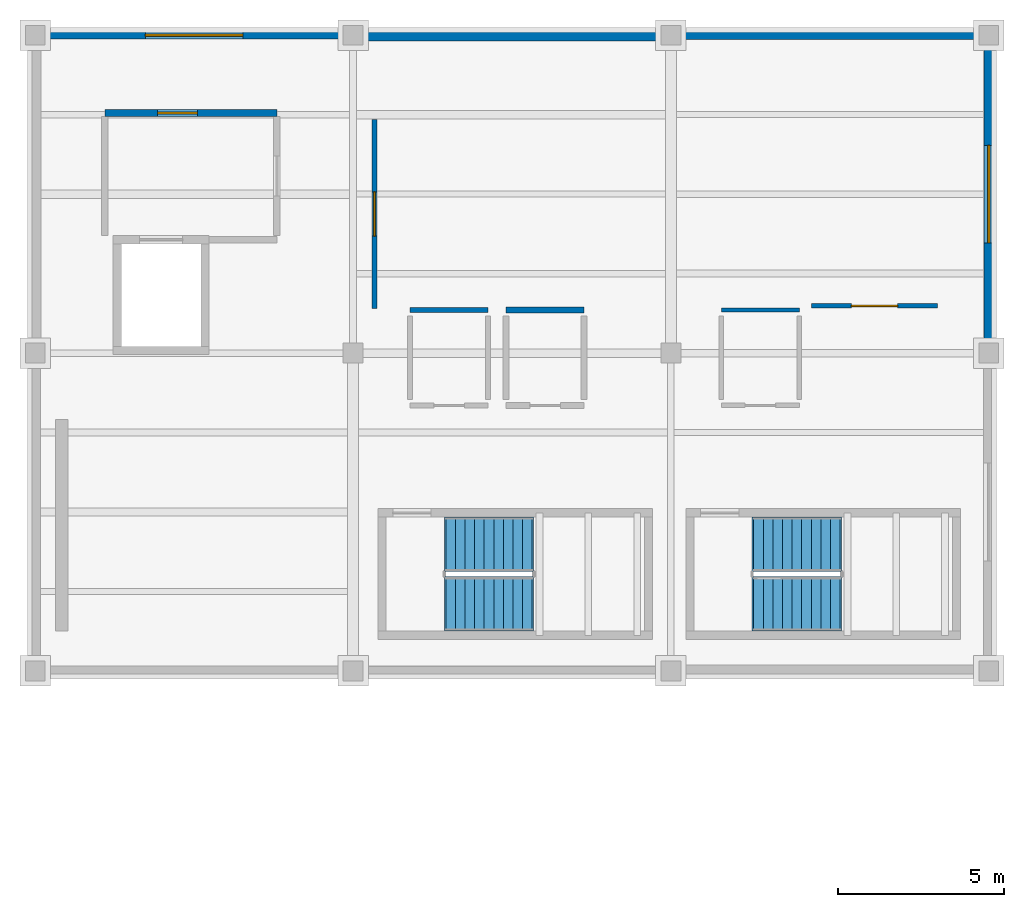
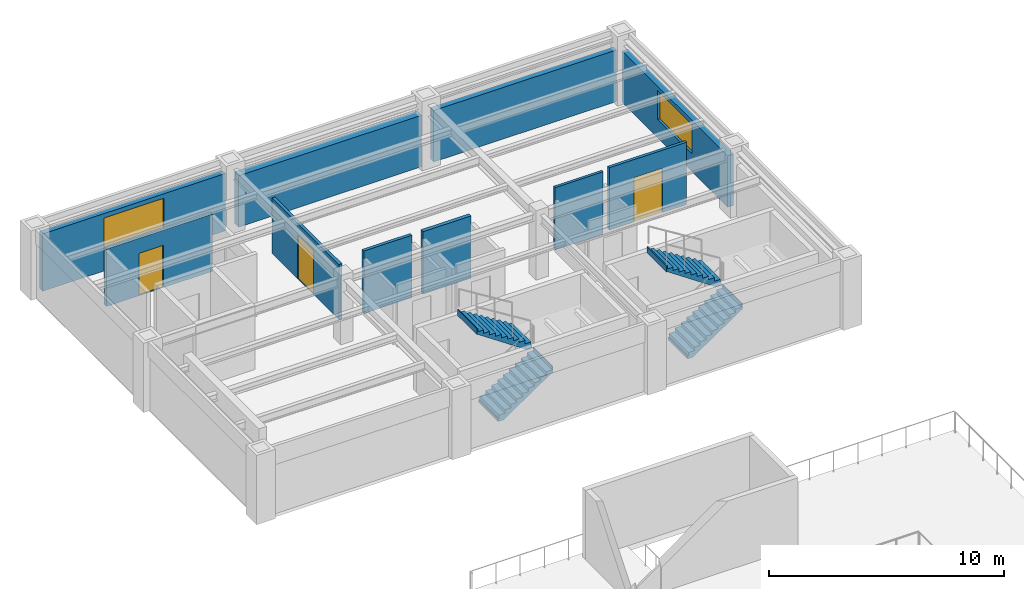
# One storey, part 3 of 6: 10 walls, 4 stair flights, 3 doors, 2 windows, 5 openings, 2 elements without a shape of their own.
"""IFC4 building model written with IfcOpenShell, lengths in metres."""

from ifc_helpers import new_model, si_unit, direction, frame, frame_2d, origin, place, context, subcontext, project, spatial, polyline, rectangle, outline, extrude, material, layer, layer_set, type_object, element, fill, aggregate, save


model = new_model("IFC4")

# Units and contexts
model_context = context("Model", 3, precision=1e-05, world=origin(), true_north=direction((0.0, 1.0)))
body_context = subcontext(model_context, "Body", "Model", "MODEL_VIEW")
ifc_project = project(units=[si_unit("LENGTHUNIT", "METRE"), si_unit("AREAUNIT", "SQUARE_METRE"), si_unit("VOLUMEUNIT", "CUBIC_METRE"), si_unit("PLANEANGLEUNIT", "RADIAN"), si_unit("MASSUNIT", "GRAM", prefix="KILO")], contexts=[model_context])

# Site, building, storey
site_placement = place(None, origin())
site = spatial("IfcSite", under=ifc_project, at=site_placement, CompositionType="ELEMENT")
building_placement = place(site_placement, origin())
building = spatial("IfcBuilding", under=site, at=building_placement, Name="Mavantir Sound Aquarium", CompositionType="ELEMENT")
storey_placement = place(building_placement, frame((0.0, 0.0, 19.800048828125)))
storey = spatial("IfcBuildingStorey", under=building, at=storey_placement, Name="L04", CompositionType="ELEMENT", Elevation=19.800048828125)

# Wall, opening, window
ifc_material_1 = material(Name="Architectural Precast Concrete C40/50", Category="concrete")
ifc_layer_1 = layer(ifc_material_1, 0.239990234375, Name="Architectural Precast Concrete C40/50")
ifc_layer_set_1 = layer_set([ifc_layer_1], Name="Architectural Precast Concrete C40/50")
wall_type_1 = type_object("IfcWallType", Name="EW-PRE-240", PredefinedType="SOLIDWALL", material=ifc_layer_set_1)
wall_1_placement = place(storey_placement, frame((9.2919921875, 102.800048828125, 0.0), z_axis=(0.0, 0.0, 1.0), x_axis=(-1.0, 0.0, 0.0)))
wall_1 = element("IfcWall", 1, at=wall_1_placement, inside=storey, type_object=wall_type_1, Name="L04 exterior facade wall EW-06 390", PredefinedType="SOLIDWALL", context=body_context, shape_type="SweptSolid", body=[
    extrude(rectangle(XDim=8.98388671875, YDim=0.239990234375, at=frame_2d((4.491943359375, 0.0))), origin(), (0.0, 0.0, 1.0), 2.97802734375),
])
opening_1_placement = place(wall_1_placement, frame((3.01708984375, 0.0, 0.949951171875)))
opening_1 = element("IfcOpeningElement", 2, at=opening_1_placement, cuts=wall_1, Name="Opening W-43", PredefinedType="OPENING", context=body_context, shape_type="SweptSolid", body=[
    extrude(rectangle(XDim=2.949951171875, YDim=1.800048828125, at=frame_2d((1.47509765625, 0.89990234375))), frame((0.0, 0.1298828125, 0.0), z_axis=(0.0, -1.0, 0.0), x_axis=(1.0, 0.0, 0.0)), (0.0, 0.0, 1.0), 0.260009765625),
])
ifc_material_2 = material(Name="Thermally Broken Aluminium and Low-E Glass", Category="aluminium")
window_type_1 = type_object("IfcWindowType", Name="WIN-EXT-43", PartitioningType="TRIPLE_PANEL_VERTICAL", PredefinedType="WINDOW", material=ifc_material_2)
window_1_placement = place(opening_1_placement, origin())
window_1 = element("IfcWindow", 3, at=window_1_placement, inside=storey, type_object=window_type_1, Name="L04 facade window W-43 187", OverallHeight=1.800048828125, OverallWidth=2.949951171875, PartitioningType="SINGLE_PANEL", PredefinedType="WINDOW", context=body_context, shape_type="SweptSolid", body=[
    extrude(rectangle(XDim=2.949951171875, YDim=1.800048828125, at=frame_2d((1.47509765625, 0.89990234375))), frame((0.0, 0.030029296875, 0.0), z_axis=(0.0, -1.0, 0.0), x_axis=(1.0, 0.0, 0.0)), (0.0, 0.0, 1.0), 0.06005859375),
])
fill(opening_1, window_1)

# Walls
ifc_material_3 = material(Name="Coral-Buff Architectural Precast Concrete C40/50", Category="concrete")
ifc_layer_2 = layer(ifc_material_3, 0.360107421875, Name="Coral-Buff Architectural Precast Concrete C40/50")
ifc_layer_set_2 = layer_set([ifc_layer_2], Name="Coral-Buff Architectural Precast Concrete C40/50")
wall_type_2 = type_object("IfcWallType", Name="EW-PRE-360", PredefinedType="SOLIDWALL", material=ifc_layer_set_2)
wall_2_placement = place(storey_placement, frame((18.89208984375, 102.800048828125, 0.0), z_axis=(0.0, 0.0, 1.0), x_axis=(-1.0, 0.0, 0.0)))
element("IfcWall", 4, at=wall_2_placement, inside=storey, type_object=wall_type_2, Name="L04 exterior facade wall EW-05 389", PredefinedType="SOLIDWALL", context=body_context, shape_type="SweptSolid", body=[
    extrude(rectangle(XDim=8.984130859375, YDim=0.360107421875, at=frame_2d((4.4921875, 0.0))), origin(), (0.0, 0.0, 1.0), 2.675048828125),
])
ifc_material_4 = material(Name="Cerulean Glazed Terracotta Rainscreen on Concrete C40/50", Category="masonry")
ifc_layer_3 = layer(ifc_material_4, 0.27001953125, Name="Cerulean Glazed Terracotta Rainscreen on Concrete C40/50")
ifc_layer_set_3 = layer_set([ifc_layer_3], Name="Cerulean Glazed Terracotta Rainscreen on Concrete C40/50")
wall_type_3 = type_object("IfcWallType", Name="EW-TERRA-270", PredefinedType="SOLIDWALL", material=ifc_layer_set_3)
wall_3_placement = place(storey_placement, frame((28.491943359375, 102.800048828125, 0.0), z_axis=(0.0, 0.0, 1.0), x_axis=(-1.0, 0.0, 0.0)))
element("IfcWall", 5, at=wall_3_placement, inside=storey, type_object=wall_type_3, Name="L04 exterior facade wall EW-04 388", PredefinedType="SOLIDWALL", context=body_context, shape_type="SweptSolid", body=[
    extrude(rectangle(XDim=8.98388671875, YDim=0.27001953125, at=frame_2d((4.491943359375, 0.0))), origin(), (0.0, 0.0, 1.0), 2.675048828125),
])

# Wall, opening, window
ifc_material_5 = material(Name="Turquoise Glazed Terracotta Rainscreen on Concrete C40/50", Category="masonry")
ifc_layer_4 = layer(ifc_material_5, 0.2900390625, Name="Turquoise Glazed Terracotta Rainscreen on Concrete C40/50")
ifc_layer_set_4 = layer_set([ifc_layer_4], Name="Turquoise Glazed Terracotta Rainscreen on Concrete C40/50")
wall_type_4 = type_object("IfcWallType", Name="EW-TERRA-290", PredefinedType="SOLIDWALL", material=ifc_layer_set_4)
wall_4_placement = place(storey_placement, frame((28.800048828125, 93.508056640625, 0.0), z_axis=(0.0, 0.0, 1.0), x_axis=(0.0, 1.0, 0.0)))
wall_4 = element("IfcWall", 6, at=wall_4_placement, inside=storey, type_object=wall_type_4, Name="L04 exterior facade wall EW-03 387", PredefinedType="SOLIDWALL", context=body_context, shape_type="SweptSolid", body=[
    extrude(rectangle(XDim=8.98388671875, YDim=0.2900390625, at=frame_2d((4.491943359375, 0.0))), origin(), (0.0, 0.0, 1.0), 2.674072265625),
])
opening_2_placement = place(wall_4_placement, frame((3.01708984375, 0.0, 0.949951171875)))
opening_2 = element("IfcOpeningElement", 7, at=opening_2_placement, cuts=wall_4, Name="Opening W-42", PredefinedType="OPENING", context=body_context, shape_type="SweptSolid", body=[
    extrude(rectangle(XDim=2.949951171875, YDim=1.5, at=frame_2d((1.47509765625, 0.75))), frame((0.0, 0.155029296875, 0.0), z_axis=(0.0, -1.0, 0.0), x_axis=(1.0, 0.0, 0.0)), (0.0, 0.0, 1.0), 0.31005859375),
])
window_type_2 = type_object("IfcWindowType", Name="WIN-EXT-42", PartitioningType="TRIPLE_PANEL_VERTICAL", PredefinedType="WINDOW", material=ifc_material_2)
window_2_placement = place(opening_2_placement, origin())
window_2 = element("IfcWindow", 8, at=window_2_placement, inside=storey, type_object=window_type_2, Name="L04 facade window W-42 186", OverallHeight=1.5, OverallWidth=2.949951171875, PartitioningType="SINGLE_PANEL", PredefinedType="WINDOW", context=body_context, shape_type="SweptSolid", body=[
    extrude(rectangle(XDim=2.949951171875, YDim=1.5, at=frame_2d((1.47509765625, 0.75))), frame((0.0, 0.030029296875, 0.0), z_axis=(0.0, -1.0, 0.0), x_axis=(1.0, 0.0, 0.0)), (0.0, 0.0, 1.0), 0.06005859375),
])
fill(opening_2, window_2)

# Wall, opening, door
ifc_material_6 = material(Name="Concrete C40/50", Category="concrete")
ifc_layer_5 = layer(ifc_material_6, 0.199951171875, Name="Concrete C40/50")
ifc_layer_set_5 = layer_set([ifc_layer_5], Name="Concrete C40/50")
wall_type_5 = type_object("IfcWallType", Name="IW-FFL-200", PredefinedType="PARTITIONING", material=ifc_layer_set_5)
wall_5_placement = place(storey_placement, frame((2.10009765625, 100.449951171875, 0.0), z_axis=(0.0, 0.0, 1.0), x_axis=(1.0, 0.0, 0.0)))
wall_5 = element("IfcWall", 9, at=wall_5_placement, inside=storey, type_object=wall_type_5, Name="L04 firefighting lift lobby LC2 wall N", PredefinedType="PARTITIONING", context=body_context, shape_type="SweptSolid", body=[
    extrude(rectangle(XDim=5.199951171875, YDim=0.199951171875, at=frame_2d((2.60009765625, 0.0))), origin(), (0.0, 0.0, 1.0), 2.975830078125),
])
opening_3_placement = place(wall_5_placement, frame((1.60009765625, 0.0, 0.0)))
opening_3 = element("IfcOpeningElement", 10, at=opening_3_placement, cuts=wall_5, Name="Opening FD-01", PredefinedType="OPENING", context=body_context, shape_type="SweptSolid", body=[
    extrude(rectangle(XDim=1.199951171875, YDim=2.199951171875, at=frame_2d((0.60009765625, 1.10009765625))), frame((0.0, 0.10986328125, 0.0), z_axis=(0.0, -1.0, 0.0), x_axis=(1.0, 0.0, 0.0)), (0.0, 0.0, 1.0), 0.219970703125),
])
ifc_material_7 = material(Name="Fire-Rated Steel Lobby Door Leaf", Category="steel")
door_type_1 = type_object("IfcDoorType", Name="DR-FFL-120", OperationType="NOTDEFINED", PredefinedType="DOOR", material=ifc_material_7)
door_1_placement = place(opening_3_placement, origin())
door_1 = element("IfcDoor", 11, at=door_1_placement, inside=storey, type_object=door_type_1, Name="L04 firefighting lobby LC2 accommodation door", OperationType="SINGLE_SWING_LEFT", OverallHeight=2.199951171875, OverallWidth=1.199951171875, PredefinedType="DOOR", context=body_context, shape_type="SweptSolid", body=[
    extrude(rectangle(XDim=1.199951171875, YDim=2.199951171875, at=frame_2d((0.60009765625, 1.10009765625))), frame((0.0, 0.02490234375, 0.0), z_axis=(0.0, -1.0, 0.0), x_axis=(1.0, 0.0, 0.0)), (0.0, 0.0, 1.0), 0.050048828125),
])
fill(opening_3, door_1)

# Wall
ifc_material_8 = material(Name="Acoustic Metal-Stud Gypsum Partition", Category="gypsum")
ifc_layer_6 = layer(ifc_material_8, 0.1298828125, Name="Acoustic Metal-Stud Gypsum Partition")
ifc_layer_set_6 = layer_set([ifc_layer_6], Name="Acoustic Metal-Stud Gypsum Partition")
wall_type_6 = type_object("IfcWallType", Name="IW-PART-130", PredefinedType="PARTITIONING", material=ifc_layer_set_6)
wall_6_placement = place(storey_placement, frame((20.719970703125, 94.5, 0.0), z_axis=(0.0, 0.0, 1.0), x_axis=(1.0, 0.0, 0.0)))
element("IfcWall", 12, at=wall_6_placement, inside=storey, type_object=wall_type_6, Name="L04 L04 Accessible WC partition N", PredefinedType="PARTITIONING", context=body_context, shape_type="SweptSolid", body=[
    extrude(rectangle(XDim=2.360107421875, YDim=0.1298828125, at=frame_2d((1.18017578125, 0.0))), origin(), (0.0, 0.0, 1.0), 3.239990234375),
])

# Wall, opening, door
ifc_material_9 = material(Name="Moisture-Resistant Marine Gypsum Partition", Category="gypsum")
ifc_layer_7 = layer(ifc_material_9, 0.139892578125, Name="Moisture-Resistant Marine Gypsum Partition")
ifc_layer_set_7 = layer_set([ifc_layer_7], Name="Moisture-Resistant Marine Gypsum Partition")
wall_type_7 = type_object("IfcWallType", Name="IW-PART-140", PredefinedType="PARTITIONING", material=ifc_layer_set_7)
wall_7_placement = place(storey_placement, frame((23.449951171875, 94.625, 0.0), z_axis=(0.0, 0.0, 1.0), x_axis=(1.0, 0.0, 0.0)))
wall_7 = element("IfcWall", 13, at=wall_7_placement, inside=storey, type_object=wall_type_7, Name="L04 Atrium Smoke-Exhaust and Dehumidification Plant entry partition", PredefinedType="PARTITIONING", context=body_context, shape_type="SweptSolid", body=[
    extrude(rectangle(XDim=3.800048828125, YDim=0.139892578125, at=frame_2d((1.89990234375, 0.0))), origin(), (0.0, 0.0, 1.0), 3.239990234375),
])
opening_4_placement = place(wall_7_placement, frame((1.199951171875, 0.0, 0.0)))
opening_4 = element("IfcOpeningElement", 14, at=opening_4_placement, cuts=wall_7, Name="Opening ID-12", PredefinedType="OPENING", context=body_context, shape_type="SweptSolid", body=[
    extrude(rectangle(XDim=1.39990234375, YDim=2.300048828125, at=frame_2d((0.699951171875, 1.14990234375))), frame((0.0, 0.080078125, 0.0), z_axis=(0.0, -1.0, 0.0), x_axis=(1.0, 0.0, 0.0)), (0.0, 0.0, 1.0), 0.159912109375),
])
ifc_material_10 = material(Name="Solid-Core Marine Hardwood and Vision-Panel Door", Category="wood")
door_type_2 = type_object("IfcDoorType", Name="DR-INT-12", OperationType="NOTDEFINED", PredefinedType="DOOR", material=ifc_material_10)
door_2_placement = place(opening_4_placement, origin())
door_2 = element("IfcDoor", 15, at=door_2_placement, inside=storey, type_object=door_type_2, Name="Atrium Smoke-Exhaust and Dehumidification Plant door", OperationType="SINGLE_SWING_RIGHT", OverallHeight=2.300048828125, OverallWidth=1.39990234375, PredefinedType="DOOR", context=body_context, shape_type="SweptSolid", body=[
    extrude(rectangle(XDim=1.39990234375, YDim=2.300048828125, at=frame_2d((0.699951171875, 1.14990234375))), frame((0.0, 0.02490234375, 0.0), z_axis=(0.0, -1.0, 0.0), x_axis=(1.0, 0.0, 0.0)), (0.0, 0.0, 1.0), 0.050048828125),
])
fill(opening_4, door_2)

# Wall
ifc_layer_8 = layer(ifc_material_9, 0.14990234375, Name="Moisture-Resistant Marine Gypsum Partition")
ifc_layer_set_8 = layer_set([ifc_layer_8], Name="Moisture-Resistant Marine Gypsum Partition")
wall_type_8 = type_object("IfcWallType", Name="IW-PART-150", PredefinedType="PARTITIONING", material=ifc_layer_set_8)
wall_8_placement = place(storey_placement, frame((11.320068359375, 94.5, 0.0), z_axis=(0.0, 0.0, 1.0), x_axis=(1.0, 0.0, 0.0)))
element("IfcWall", 16, at=wall_8_placement, inside=storey, type_object=wall_type_8, Name="L04 L04 Mens WC partition N", PredefinedType="PARTITIONING", context=body_context, shape_type="SweptSolid", body=[
    extrude(rectangle(XDim=2.35986328125, YDim=0.14990234375, at=frame_2d((1.179931640625, 0.0))), origin(), (0.0, 0.0, 1.0), 3.239990234375),
])

# Wall, opening, door
wall_9_placement = place(storey_placement, frame((10.25, 94.550048828125, 0.0), z_axis=(0.0, 0.0, 1.0), x_axis=(0.0, 1.0, 0.0)))
wall_9 = element("IfcWall", 17, at=wall_9_placement, inside=storey, type_object=wall_type_8, Name="L04 Marine Telemetry and Bioacoustics Research Laboratory entry partition", PredefinedType="PARTITIONING", context=body_context, shape_type="SweptSolid", body=[
    extrude(rectangle(XDim=5.699951171875, YDim=0.14990234375, at=frame_2d((2.85009765625, 0.0))), origin(), (0.0, 0.0, 1.0), 2.868896484375),
])
opening_5_placement = place(wall_9_placement, frame((2.179931640625, 0.0, 0.0)))
opening_5 = element("IfcOpeningElement", 18, at=opening_5_placement, cuts=wall_9, Name="Opening ID-11", PredefinedType="OPENING", context=body_context, shape_type="SweptSolid", body=[
    extrude(rectangle(XDim=1.340087890625, YDim=2.280029296875, at=frame_2d((0.669921875, 1.14013671875))), frame((0.0, 0.0849609375, 0.0), z_axis=(0.0, -1.0, 0.0), x_axis=(1.0, 0.0, 0.0)), (0.0, 0.0, 1.0), 0.169921875),
])
door_type_3 = type_object("IfcDoorType", Name="DR-INT-11", OperationType="NOTDEFINED", PredefinedType="DOOR", material=ifc_material_10)
door_3_placement = place(opening_5_placement, origin())
door_3 = element("IfcDoor", 19, at=door_3_placement, inside=storey, type_object=door_type_3, Name="Marine Telemetry and Bioacoustics Research Laboratory door", OperationType="SINGLE_SWING_LEFT", OverallHeight=2.280029296875, OverallWidth=1.340087890625, PredefinedType="DOOR", context=body_context, shape_type="SweptSolid", body=[
    extrude(rectangle(XDim=1.340087890625, YDim=2.280029296875, at=frame_2d((0.669921875, 1.14013671875))), frame((0.0, 0.02490234375, 0.0), z_axis=(0.0, -1.0, 0.0), x_axis=(1.0, 0.0, 0.0)), (0.0, 0.0, 1.0), 0.050048828125),
])
fill(opening_5, door_3)

# Wall
ifc_layer_9 = layer(ifc_material_8, 0.179931640625, Name="Acoustic Metal-Stud Gypsum Partition")
ifc_layer_set_9 = layer_set([ifc_layer_9], Name="Acoustic Metal-Stud Gypsum Partition")
wall_type_9 = type_object("IfcWallType", Name="IW-PART-180", PredefinedType="PARTITIONING", material=ifc_layer_set_9)
wall_10_placement = place(storey_placement, frame((14.219970703125, 94.5, 0.0), z_axis=(0.0, 0.0, 1.0), x_axis=(1.0, 0.0, 0.0)))
element("IfcWall", 20, at=wall_10_placement, inside=storey, type_object=wall_type_9, Name="L04 L04 Womens WC partition N", PredefinedType="PARTITIONING", context=body_context, shape_type="SweptSolid", body=[
    extrude(rectangle(XDim=2.360107421875, YDim=0.179931640625, at=frame_2d((1.18017578125, 0.0))), origin(), (0.0, 0.0, 1.0), 3.239990234375),
])

# Stair, stair flights
stair_type = type_object("IfcStairType", Name="STR-1650-3600", PredefinedType="HALF_TURN_STAIR", material=ifc_material_6)
stair_1_placement = place(storey_placement, origin())
stair_1 = element("IfcStair", 21, at=stair_1_placement, inside=storey, type_object=stair_type, Name="L04 Protected exit stair ST5", PredefinedType="HALF_TURN_STAIR")
stair_flight_type = type_object("IfcStairFlightType", Name="STF-1650-3600", PredefinedType="STRAIGHT", material=ifc_material_6)
stair_flight_1_placement = place(storey_placement, frame((12.39990234375, 85.625, 0.0), z_axis=(0.0, 0.0, 1.0), x_axis=(1.0, 0.0, 0.0)))
stair_flight_1 = element("IfcStairFlight", 22, at=stair_flight_1_placement, type_object=stair_flight_type, Name="ST5 flight 1", NumberOfRisers=10, NumberOfTreads=9, PredefinedType="STRAIGHT", RiserHeight=0.18, TreadLength=0.29, context=body_context, shape_type="SweptSolid", body=[
    extrude(outline(polyline([(-0.044921875, -0.139892578125), (-0.044921875, 0.0), (0.0, 0.0), (0.0, 0.179931640625), (0.2900390625, 0.179931640625), (0.2900390625, 0.360107421875), (0.580078125, 0.360107421875), (0.580078125, 0.5400390625), (0.8701171875, 0.5400390625), (0.8701171875, 0.719970703125), (1.159912109375, 0.719970703125), (1.159912109375, 0.89990234375), (1.449951171875, 0.89990234375), (1.449951171875, 1.080078125), (1.739990234375, 1.080078125), (1.739990234375, 1.260009765625), (2.030029296875, 1.260009765625), (2.030029296875, 1.43994140625), (2.320068359375, 1.43994140625), (2.320068359375, 1.6201171875), (2.610107421875, 1.6201171875), (2.610107421875, 1.800048828125), (2.655029296875, 1.800048828125), (2.655029296875, 1.47998046875), (2.610107421875, 1.47998046875), (0.2255859375, -0.139892578125), (-0.044921875, -0.139892578125)])), frame((0.0, 0.824951171875, 0.0), z_axis=(0.0, -1.0, 0.0), x_axis=(1.0, 0.0, 0.0)), (0.0, 0.0, 1.0), 1.64990234375),
])
stair_flight_2_placement = place(storey_placement, frame((15.010009765625, 87.425048828125, 1.800048828125), z_axis=(0.0, 0.0, 1.0), x_axis=(-1.0, 0.0, 0.0)))
stair_flight_2 = element("IfcStairFlight", 23, at=stair_flight_2_placement, type_object=stair_flight_type, Name="ST5 flight 2", NumberOfRisers=10, NumberOfTreads=9, PredefinedType="STRAIGHT", RiserHeight=0.18, TreadLength=0.29, context=body_context, shape_type="SweptSolid", body=[
    extrude(outline(polyline([(-0.044921875, -0.139892578125), (-0.044921875, 0.0), (0.0, 0.0), (0.0, 0.179931640625), (0.2900390625, 0.179931640625), (0.2900390625, 0.360107421875), (0.580078125, 0.360107421875), (0.580078125, 0.5400390625), (0.8701171875, 0.5400390625), (0.8701171875, 0.719970703125), (1.159912109375, 0.719970703125), (1.159912109375, 0.89990234375), (1.449951171875, 0.89990234375), (1.449951171875, 1.080078125), (1.739990234375, 1.080078125), (1.739990234375, 1.260009765625), (2.030029296875, 1.260009765625), (2.030029296875, 1.43994140625), (2.320068359375, 1.43994140625), (2.320068359375, 1.6201171875), (2.610107421875, 1.6201171875), (2.610107421875, 1.800048828125), (2.655029296875, 1.800048828125), (2.655029296875, 1.47998046875), (2.610107421875, 1.47998046875), (0.2255859375, -0.139892578125), (-0.044921875, -0.139892578125)])), frame((0.0, 0.824951171875, 0.0), z_axis=(0.0, -1.0, 0.0), x_axis=(1.0, 0.0, 0.0)), (0.0, 0.0, 1.0), 1.64990234375),
])
aggregate(stair_1, [stair_flight_1, stair_flight_2])

stair_2_placement = place(storey_placement, origin())
stair_2 = element("IfcStair", 24, at=stair_2_placement, inside=storey, type_object=stair_type, Name="L04 Protected exit stair ST7", PredefinedType="HALF_TURN_STAIR")
stair_flight_3_placement = place(storey_placement, frame((21.699951171875, 85.625, 0.0), z_axis=(0.0, 0.0, 1.0), x_axis=(1.0, 0.0, 0.0)))
stair_flight_3 = element("IfcStairFlight", 25, at=stair_flight_3_placement, type_object=stair_flight_type, Name="ST7 flight 1", NumberOfRisers=10, NumberOfTreads=9, PredefinedType="STRAIGHT", RiserHeight=0.18, TreadLength=0.29, context=body_context, shape_type="SweptSolid", body=[
    extrude(outline(polyline([(-0.044921875, -0.139892578125), (-0.044921875, 0.0), (0.0, 0.0), (0.0, 0.179931640625), (0.2900390625, 0.179931640625), (0.2900390625, 0.360107421875), (0.580078125, 0.360107421875), (0.580078125, 0.5400390625), (0.8701171875, 0.5400390625), (0.8701171875, 0.719970703125), (1.159912109375, 0.719970703125), (1.159912109375, 0.89990234375), (1.449951171875, 0.89990234375), (1.449951171875, 1.080078125), (1.739990234375, 1.080078125), (1.739990234375, 1.260009765625), (2.030029296875, 1.260009765625), (2.030029296875, 1.43994140625), (2.320068359375, 1.43994140625), (2.320068359375, 1.6201171875), (2.610107421875, 1.6201171875), (2.610107421875, 1.800048828125), (2.655029296875, 1.800048828125), (2.655029296875, 1.47998046875), (2.610107421875, 1.47998046875), (0.2255859375, -0.139892578125), (-0.044921875, -0.139892578125)])), frame((0.0, 0.824951171875, 0.0), z_axis=(0.0, -1.0, 0.0), x_axis=(1.0, 0.0, 0.0)), (0.0, 0.0, 1.0), 1.64990234375),
])
stair_flight_4_placement = place(storey_placement, frame((24.31005859375, 87.425048828125, 1.800048828125), z_axis=(0.0, 0.0, 1.0), x_axis=(-1.0, 0.0, 0.0)))
stair_flight_4 = element("IfcStairFlight", 26, at=stair_flight_4_placement, type_object=stair_flight_type, Name="ST7 flight 2", NumberOfRisers=10, NumberOfTreads=9, PredefinedType="STRAIGHT", RiserHeight=0.18, TreadLength=0.29, context=body_context, shape_type="SweptSolid", body=[
    extrude(outline(polyline([(-0.044921875, -0.139892578125), (-0.044921875, 0.0), (0.0, 0.0), (0.0, 0.179931640625), (0.2900390625, 0.179931640625), (0.2900390625, 0.360107421875), (0.580078125, 0.360107421875), (0.580078125, 0.5400390625), (0.8701171875, 0.5400390625), (0.8701171875, 0.719970703125), (1.159912109375, 0.719970703125), (1.159912109375, 0.89990234375), (1.449951171875, 0.89990234375), (1.449951171875, 1.080078125), (1.739990234375, 1.080078125), (1.739990234375, 1.260009765625), (2.030029296875, 1.260009765625), (2.030029296875, 1.43994140625), (2.320068359375, 1.43994140625), (2.320068359375, 1.6201171875), (2.610107421875, 1.6201171875), (2.610107421875, 1.800048828125), (2.655029296875, 1.800048828125), (2.655029296875, 1.47998046875), (2.610107421875, 1.47998046875), (0.2255859375, -0.139892578125), (-0.044921875, -0.139892578125)])), frame((0.0, 0.824951171875, 0.0), z_axis=(0.0, -1.0, 0.0), x_axis=(1.0, 0.0, 0.0)), (0.0, 0.0, 1.0), 1.64990234375),
])
aggregate(stair_2, [stair_flight_3, stair_flight_4])

save(model, "model.ifc")
